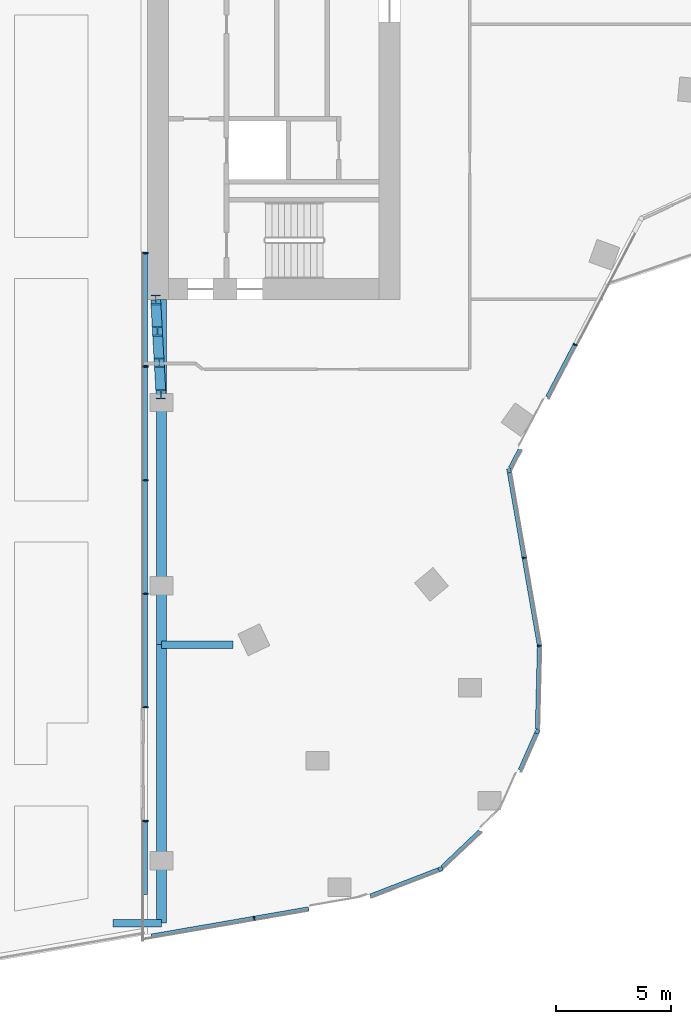
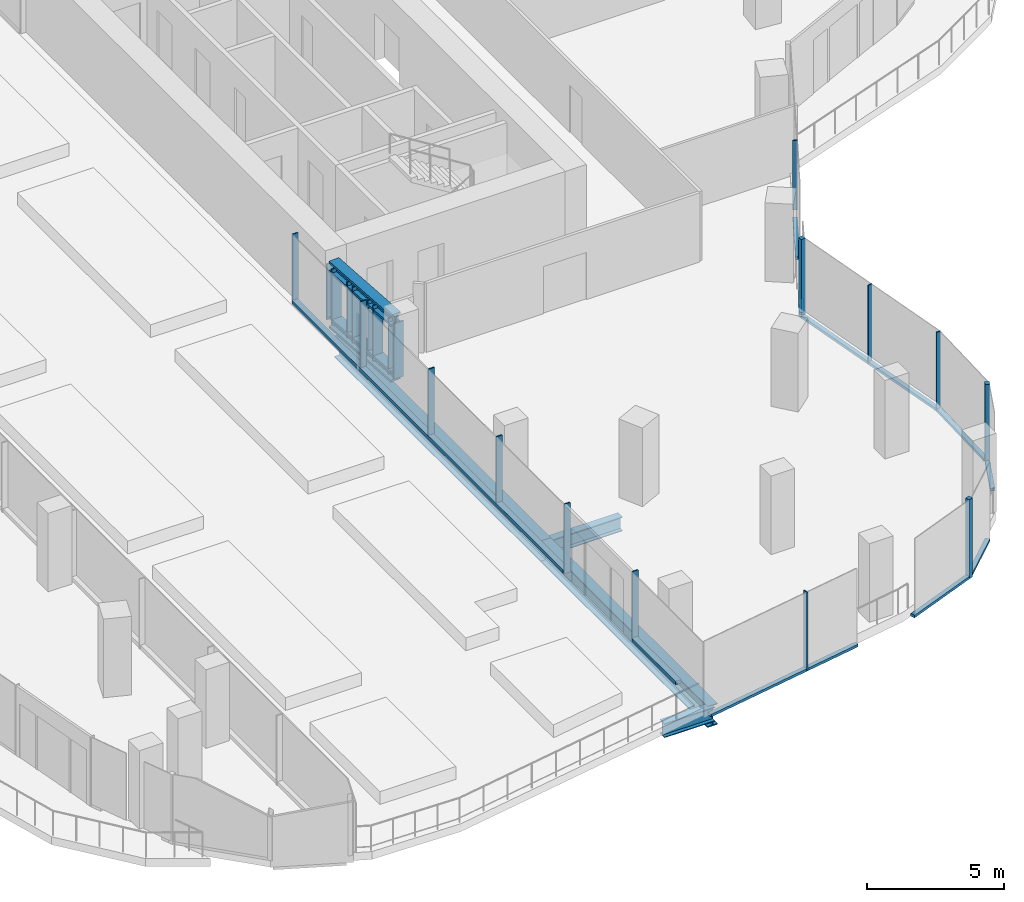
# One storey, part 3 of 26: 29 members, 4 beams, 8 elements without a shape of their own.
"""IFC4 building model written with IfcOpenShell, lengths in metres."""

from ifc_helpers import new_model, si_unit, direction, frame, origin, origin_2d, place, context, subcontext, project, spatial, rectangle, i_section, extrude, material, material_profile, profile_set, type_object, element, aggregate, save


model = new_model("IFC4")

# Units and contexts
model_context = context("Model", 3, precision=1e-05, world=origin(), true_north=direction((0.0, 1.0)))
body_context = subcontext(model_context, "Body", "Model", "MODEL_VIEW")
ifc_project = project(units=[si_unit("LENGTHUNIT", "METRE"), si_unit("AREAUNIT", "SQUARE_METRE"), si_unit("VOLUMEUNIT", "CUBIC_METRE"), si_unit("PLANEANGLEUNIT", "RADIAN"), si_unit("MASSUNIT", "GRAM", prefix="KILO")], contexts=[model_context])

# Site, building, storey
site_placement = place(None, origin())
site = spatial("IfcSite", under=ifc_project, at=site_placement, CompositionType="ELEMENT")
building_placement = place(site_placement, origin())
building = spatial("IfcBuilding", under=site, at=building_placement, Name="Orlundy Tower", CompositionType="ELEMENT")
storey_placement = place(building_placement, frame((0.0, 0.0, 253.5)))
storey = spatial("IfcBuildingStorey", under=building, at=storey_placement, Name="L67", CompositionType="ELEMENT", Elevation=253.5)

# Curtain wall, member
ifc_material_1 = material(Name="Aluminium bronze anodised", Category="aluminium")
curtain_wall_type = type_object("IfcCurtainWallType", Name="CW1 wall", PredefinedType="NOTDEFINED", material=ifc_material_1)
curtain_wall_1_placement = place(storey_placement, origin())
curtain_wall_1 = element("IfcCurtainWall", 1, at=curtain_wall_1_placement, inside=storey, type_object=curtain_wall_type, Name="CW1 run 112", PredefinedType="NOTDEFINED")
ifc_material_2 = material(Name="Aluminium bronze anodised", Category="aluminium")
ifc_material_profile_1 = material_profile(ifc_material_2, rectangle(XDim=0.179931640625, YDim=0.179931640625, at=origin_2d()), Name="CW1 corner post 180x180")
ifc_profile_set_1 = profile_set([ifc_material_profile_1], Name="Aluminium bronze anodised")
member_type_1 = type_object("IfcMemberType", Name="CW1 corner post 180x180", PredefinedType="MULLION", material=ifc_profile_set_1)
member_1_placement = place(storey_placement, frame((23.764892578125, -19.4736328125, -0.419921875), z_axis=(0.0, 0.0, 1.0), x_axis=(0.985318106887, 0.170728522047, 0.0)))
member_1 = element("IfcMember", 2, at=member_1_placement, type_object=member_type_1, Name="CW1 mullion 18", PredefinedType="MULLION", context=body_context, shape_type="SweptSolid", body=[
    extrude(rectangle(XDim=0.179931640625, YDim=0.179931640625, at=origin_2d()), origin(), (0.0, 0.0, 1.0), 3.52001953125),
])

curtain_wall_2_placement = place(storey_placement, origin())
curtain_wall_2 = element("IfcCurtainWall", 3, at=curtain_wall_2_placement, inside=storey, type_object=curtain_wall_type, Name="CW1 run 114", PredefinedType="NOTDEFINED")
member_2_placement = place(storey_placement, frame((24.99853515625, -30.85400390625, -0.419921875), z_axis=(0.0, 0.0, 1.0), x_axis=(0.914133830763, -0.405412554633, 0.0)))
member_2 = element("IfcMember", 4, at=member_2_placement, type_object=member_type_1, Name="CW1 mullion 21", PredefinedType="MULLION", context=body_context, shape_type="SweptSolid", body=[
    extrude(rectangle(XDim=0.179931640625, YDim=0.179931640625, at=origin_2d()), origin(), (0.0, 0.0, 1.0), 3.52001953125),
])

curtain_wall_3_placement = place(storey_placement, origin())
curtain_wall_3 = element("IfcCurtainWall", 5, at=curtain_wall_3_placement, inside=storey, type_object=curtain_wall_type, Name="CW1 run 116", PredefinedType="NOTDEFINED")
member_3_placement = place(storey_placement, frame((20.77001953125, -36.85546875, -0.419921875), z_axis=(0.0, 0.0, 1.0), x_axis=(0.359828461467, -0.933018476944, 0.0)))
member_3 = element("IfcMember", 6, at=member_3_placement, type_object=member_type_1, Name="CW1 mullion 23", PredefinedType="MULLION", context=body_context, shape_type="SweptSolid", body=[
    extrude(rectangle(XDim=0.179931640625, YDim=0.179931640625, at=origin_2d()), origin(), (0.0, 0.0, 1.0), 3.52001953125),
])

curtain_wall_4_placement = place(storey_placement, origin())
curtain_wall_4 = element("IfcCurtainWall", 7, at=curtain_wall_4_placement, inside=storey, type_object=curtain_wall_type, Name="CW1 run 111", PredefinedType="NOTDEFINED")
ifc_material_3 = material(Name="Aluminium bronze anodised", Category="aluminium")
ifc_material_profile_2 = material_profile(ifc_material_3, rectangle(XDim=0.179931640625, YDim=0.050048828125, at=origin_2d()), Name="CW1 mullion 50x180")
ifc_profile_set_2 = profile_set([ifc_material_profile_2], Name="Aluminium bronze anodised")
member_type_2 = type_object("IfcMemberType", Name="CW1 mullion 50x180", PredefinedType="MULLION", material=ifc_profile_set_2)
member_4_placement = place(storey_placement, frame((26.649658203125, -13.97119140625, 0.0), z_axis=(0.0, 0.0, 1.0), x_axis=(0.885660617608, -0.464333145939, 0.0)))
member_4 = element("IfcMember", 8, at=member_4_placement, type_object=member_type_2, Name="CW1 mullion 17", PredefinedType="MULLION", context=body_context, shape_type="SweptSolid", body=[
    extrude(rectangle(XDim=0.179931640625, YDim=0.050048828125, at=origin_2d()), origin(), (0.0, 0.0, 1.0), 3.10009765625),
])

# Member
member_5_placement = place(storey_placement, frame((24.424072265625, -23.278564453125, -0.419921875), z_axis=(0.0, 0.0, 1.0), x_axis=(0.985318106887, 0.170728522047, 0.0)))
member_5 = element("IfcMember", 9, at=member_5_placement, type_object=member_type_2, Name="CW1 mullion 19", PredefinedType="MULLION", context=body_context, shape_type="SweptSolid", body=[
    extrude(rectangle(XDim=0.179931640625, YDim=0.050048828125, at=origin_2d()), origin(), (0.0, 0.0, 1.0), 3.52001953125),
])

# Curtain wall, member
curtain_wall_5_placement = place(storey_placement, origin())
curtain_wall_5 = element("IfcCurtainWall", 10, at=curtain_wall_5_placement, inside=storey, type_object=curtain_wall_type, Name="CW1 run 113", PredefinedType="NOTDEFINED")
member_6_placement = place(storey_placement, frame((25.090087890625, -27.122314453125, -0.419921875), z_axis=(0.0, 0.0, 1.0), x_axis=(0.9972996306, 0.073440089904, 0.0)))
member_6 = element("IfcMember", 11, at=member_6_placement, type_object=member_type_2, Name="CW1 mullion 20", PredefinedType="MULLION", context=body_context, shape_type="SweptSolid", body=[
    extrude(rectangle(XDim=0.179931640625, YDim=0.050048828125, at=origin_2d()), origin(), (0.0, 0.0, 1.0), 3.52001953125),
])

curtain_wall_6_placement = place(storey_placement, origin())
curtain_wall_6 = element("IfcCurtainWall", 12, at=curtain_wall_6_placement, inside=storey, type_object=curtain_wall_type, Name="CW1 run 117", PredefinedType="NOTDEFINED")
member_7_placement = place(storey_placement, frame((12.646484375, -39.003173828125, -0.419921875), z_axis=(0.0, 0.0, 1.0), x_axis=(0.170744034483, -0.985315418883, 0.0)))
member_7 = element("IfcMember", 13, at=member_7_placement, type_object=member_type_2, Name="CW1 mullion 25", PredefinedType="MULLION", context=body_context, shape_type="SweptSolid", body=[
    extrude(rectangle(XDim=0.179931640625, YDim=0.050048828125, at=origin_2d()), origin(), (0.0, 0.0, 1.0), 3.52001953125),
])

# Member
ifc_material_4 = material(Name="Aluminium bronze anodised", Category="aluminium")
ifc_material_profile_3 = material_profile(ifc_material_4, rectangle(XDim=0.179931640625, YDim=0.1201171875, at=origin_2d()), Name="CW1 transom 180x120")
ifc_profile_set_3 = profile_set([ifc_material_profile_3], Name="Aluminium bronze anodised")
member_type_3 = type_object("IfcMemberType", Name="CW1 transom 180x120", PredefinedType="USERDEFINED", material=ifc_profile_set_3)
member_8_placement = place(storey_placement, frame((26.63818359375, -13.993408203125, -0.360107421875), z_axis=(-0.464377666405, -0.885637275042, 0.0), x_axis=(0.885637275042, -0.464377666405, 0.0)))
member_8 = element("IfcMember", 14, at=member_8_placement, type_object=member_type_3, Name="CW1 transom", ObjectType="TRANSOM", PredefinedType="USERDEFINED", context=body_context, shape_type="SweptSolid", body=[
    extrude(rectangle(XDim=0.179931640625, YDim=0.1201171875, at=origin_2d()), origin(), (0.0, 0.0, 1.0), 2.559326171875),
])

member_9_placement = place(storey_placement, frame((24.2412109375, -18.5654296875, -0.360107421875), z_axis=(-0.464366993519, -0.885642871213, 0.0), x_axis=(0.885642871213, -0.464366993519, 0.0)))
member_9 = element("IfcMember", 15, at=member_9_placement, type_object=member_type_3, Name="CW1 transom", ObjectType="TRANSOM", PredefinedType="USERDEFINED", context=body_context, shape_type="SweptSolid", body=[
    extrude(rectangle(XDim=0.179931640625, YDim=0.1201171875, at=origin_2d()), origin(), (0.0, 0.0, 1.0), 0.912109375),
])

aggregate(curtain_wall_4, [member_4, member_8, member_9])

member_10_placement = place(storey_placement, frame((23.7802734375, -19.5625, -0.360107421875), z_axis=(0.170732175042, -0.985317473917, 0.0), x_axis=(0.985317473917, 0.170732175042, 0.0)))
member_10 = element("IfcMember", 16, at=member_10_placement, type_object=member_type_3, Name="CW1 transom", ObjectType="TRANSOM", PredefinedType="USERDEFINED", context=body_context, shape_type="SweptSolid", body=[
    extrude(rectangle(XDim=0.179931640625, YDim=0.1201171875, at=origin_2d()), origin(), (0.0, 0.0, 1.0), 7.6474609375),
])

aggregate(curtain_wall_1, [member_1, member_5, member_10])

member_11_placement = place(storey_placement, frame((25.089599609375, -27.1474609375, -0.360107421875), z_axis=(-0.024546173371, -0.999698697295, 0.0), x_axis=(0.999698697295, -0.024546173371, 0.0)))
member_11 = element("IfcMember", 17, at=member_11_placement, type_object=member_type_3, Name="CW1 transom", ObjectType="TRANSOM", PredefinedType="USERDEFINED", context=body_context, shape_type="SweptSolid", body=[
    extrude(rectangle(XDim=0.179931640625, YDim=0.1201171875, at=origin_2d()), origin(), (0.0, 0.0, 1.0), 3.6103515625),
])

aggregate(curtain_wall_5, [member_6, member_11])

member_12_placement = place(storey_placement, frame((24.962158203125, -30.936279296875, -0.360107421875), z_axis=(-0.405456231293, -0.914114459193, 0.0), x_axis=(0.914114459193, -0.405456231293, 0.0)))
member_12 = element("IfcMember", 18, at=member_12_placement, type_object=member_type_3, Name="CW1 transom", ObjectType="TRANSOM", PredefinedType="USERDEFINED", context=body_context, shape_type="SweptSolid", body=[
    extrude(rectangle(XDim=0.179931640625, YDim=0.1201171875, at=origin_2d()), origin(), (0.0, 0.0, 1.0), 1.760009765625),
])

aggregate(curtain_wall_2, [member_2, member_12])

# Curtain wall, member
curtain_wall_7_placement = place(storey_placement, origin())
curtain_wall_7 = element("IfcCurtainWall", 19, at=curtain_wall_7_placement, inside=storey, type_object=curtain_wall_type, Name="CW1 run 115", PredefinedType="NOTDEFINED")
member_13_placement = place(storey_placement, frame((22.499755859375, -35.20947265625, -0.360107421875), z_axis=(-0.724424320726, -0.68935433816, 0.0), x_axis=(0.68935433816, -0.724424320726, 0.0)))
member_13 = element("IfcMember", 20, at=member_13_placement, type_object=member_type_3, Name="CW1 transom", ObjectType="TRANSOM", PredefinedType="USERDEFINED", context=body_context, shape_type="SweptSolid", body=[
    extrude(rectangle(XDim=0.179931640625, YDim=0.1201171875, at=origin_2d()), origin(), (0.0, 0.0, 1.0), 2.290283203125),
])
aggregate(curtain_wall_7, [member_13])

# Member
member_14_placement = place(storey_placement, frame((20.68603515625, -36.887939453125, -0.360107421875), z_axis=(-0.933021495013, -0.359820635657, 0.0), x_axis=(0.359820635657, -0.933021495013, 0.0)))
member_14 = element("IfcMember", 21, at=member_14_placement, type_object=member_type_3, Name="CW1 transom", ObjectType="TRANSOM", PredefinedType="USERDEFINED", context=body_context, shape_type="SweptSolid", body=[
    extrude(rectangle(XDim=0.179931640625, YDim=0.1201171875, at=origin_2d()), origin(), (0.0, 0.0, 1.0), 3.187744140625),
])

aggregate(curtain_wall_3, [member_3, member_14])

member_15_placement = place(storey_placement, frame((15.031982421875, -38.58984375, -0.360107421875), z_axis=(-0.985315086424, -0.170745952998, 0.0), x_axis=(0.170745952998, -0.985315086424, 0.0)))
member_15 = element("IfcMember", 22, at=member_15_placement, type_object=member_type_3, Name="CW1 transom", ObjectType="TRANSOM", PredefinedType="USERDEFINED", context=body_context, shape_type="SweptSolid", body=[
    extrude(rectangle(XDim=0.179931640625, YDim=0.1201171875, at=origin_2d()), origin(), (0.0, 0.0, 1.0), 6.976318359375),
])

aggregate(curtain_wall_6, [member_7, member_15])

# Curtain wall, members
curtain_wall_8_placement = place(storey_placement, origin())
curtain_wall_8 = element("IfcCurtainWall", 23, at=curtain_wall_8_placement, inside=storey, type_object=curtain_wall_type, Name="CW1 run 118", PredefinedType="NOTDEFINED")
ifc_material_5 = material(Name="Aluminium bronze anodised", Category="aluminium")
ifc_material_profile_4 = material_profile(ifc_material_5, rectangle(XDim=0.239990234375, YDim=0.050048828125, at=origin_2d()), Name="CW6 mullion 50x240")
ifc_profile_set_4 = profile_set([ifc_material_profile_4], Name="Aluminium bronze anodised")
member_type_4 = type_object("IfcMemberType", Name="CW6 mullion 50x240", PredefinedType="MULLION", material=ifc_profile_set_4)
member_16_placement = place(storey_placement, frame((7.909912109375, -34.76025390625, 0.0), z_axis=(0.0, 0.0, 1.0), x_axis=(-1.0, 0.0, 0.0)))
member_16 = element("IfcMember", 24, at=member_16_placement, type_object=member_type_4, Name="CW6 mullion 27", PredefinedType="MULLION", context=body_context, shape_type="SweptSolid", body=[
    extrude(rectangle(XDim=0.239990234375, YDim=0.050048828125, at=origin_2d()), origin(), (0.0, 0.0, 1.0), 3.10009765625),
])
member_17_placement = place(storey_placement, frame((7.909912109375, -29.80322265625, 0.0), z_axis=(0.0, 0.0, 1.0), x_axis=(-1.0, 0.0, 0.0)))
member_17 = element("IfcMember", 25, at=member_17_placement, type_object=member_type_4, Name="CW6 mullion 28", PredefinedType="MULLION", context=body_context, shape_type="SweptSolid", body=[
    extrude(rectangle(XDim=0.239990234375, YDim=0.050048828125, at=origin_2d()), origin(), (0.0, 0.0, 1.0), 3.10009765625),
])
member_18_placement = place(storey_placement, frame((7.909912109375, -24.846435546875, 0.0), z_axis=(0.0, 0.0, 1.0), x_axis=(-1.0, 0.0, 0.0)))
member_18 = element("IfcMember", 26, at=member_18_placement, type_object=member_type_4, Name="CW6 mullion 29", PredefinedType="MULLION", context=body_context, shape_type="SweptSolid", body=[
    extrude(rectangle(XDim=0.239990234375, YDim=0.050048828125, at=origin_2d()), origin(), (0.0, 0.0, 1.0), 3.10009765625),
])
member_19_placement = place(storey_placement, frame((7.909912109375, -19.8896484375, 0.0), z_axis=(0.0, 0.0, 1.0), x_axis=(-1.0, 0.0, 0.0)))
member_19 = element("IfcMember", 27, at=member_19_placement, type_object=member_type_4, Name="CW6 mullion 30", PredefinedType="MULLION", context=body_context, shape_type="SweptSolid", body=[
    extrude(rectangle(XDim=0.239990234375, YDim=0.050048828125, at=origin_2d()), origin(), (0.0, 0.0, 1.0), 3.10009765625),
])
member_20_placement = place(storey_placement, frame((7.909912109375, -14.9326171875, 0.0), z_axis=(0.0, 0.0, 1.0), x_axis=(-1.0, 0.0, 0.0)))
member_20 = element("IfcMember", 28, at=member_20_placement, type_object=member_type_4, Name="CW6 mullion 31", PredefinedType="MULLION", context=body_context, shape_type="SweptSolid", body=[
    extrude(rectangle(XDim=0.239990234375, YDim=0.050048828125, at=origin_2d()), origin(), (0.0, 0.0, 1.0), 3.10009765625),
])
member_21_placement = place(storey_placement, frame((7.909912109375, -9.975830078125, 0.0), z_axis=(0.0, 0.0, 1.0), x_axis=(-1.0, 0.0, 0.0)))
member_21 = element("IfcMember", 29, at=member_21_placement, type_object=member_type_4, Name="CW6 mullion 32", PredefinedType="MULLION", context=body_context, shape_type="SweptSolid", body=[
    extrude(rectangle(XDim=0.239990234375, YDim=0.050048828125, at=origin_2d()), origin(), (0.0, 0.0, 1.0), 3.10009765625),
])
ifc_material_6 = material(Name="Aluminium bronze anodised", Category="aluminium")
ifc_material_profile_5 = material_profile(ifc_material_6, rectangle(XDim=0.239990234375, YDim=0.159912109375, at=origin_2d()), Name="CW6 transom 240x160")
ifc_profile_set_5 = profile_set([ifc_material_profile_5], Name="Aluminium bronze anodised")
member_type_5 = type_object("IfcMemberType", Name="CW6 transom 240x160", PredefinedType="USERDEFINED", material=ifc_profile_set_5)
member_22_placement = place(storey_placement, frame((7.8798828125, -37.9697265625, 0.080078125), z_axis=(0.0, 1.0, 0.0), x_axis=(-1.0, 0.0, 0.0)))
member_22 = element("IfcMember", 30, at=member_22_placement, type_object=member_type_5, Name="CW6 transom", ObjectType="TRANSOM", PredefinedType="USERDEFINED", context=body_context, shape_type="SweptSolid", body=[
    extrude(rectangle(XDim=0.239990234375, YDim=0.159912109375, at=origin_2d()), origin(), (0.0, 0.0, 1.0), 3.1845703125),
])
member_23_placement = place(storey_placement, frame((7.8798828125, -29.7783203125, 0.080078125), z_axis=(0.0, 1.0, 0.0), x_axis=(-1.0, 0.0, 0.0)))
member_23 = element("IfcMember", 31, at=member_23_placement, type_object=member_type_5, Name="CW6 transom", ObjectType="TRANSOM", PredefinedType="USERDEFINED", context=body_context, shape_type="SweptSolid", body=[
    extrude(rectangle(XDim=0.239990234375, YDim=0.159912109375, at=origin_2d()), origin(), (0.0, 0.0, 1.0), 19.77734375),
])
aggregate(curtain_wall_8, [member_16, member_17, member_18, member_19, member_20, member_21, member_22, member_23])

# Members
ifc_material_7 = material(Name="Steel ASTM A992 Gr 50", Category="steel")
ifc_material_profile_6 = material_profile(ifc_material_7, i_section(OverallWidth=0.43212890625, OverallDepth=0.497802734375, WebThickness=0.0556640625, FlangeThickness=0.0888671875, at=origin_2d()), Name="W14X500")
ifc_profile_set_6 = profile_set([ifc_material_profile_6], Name="Steel ASTM A992 Gr 50")
member_type_6 = type_object("IfcMemberType", Name="PORTAL EDGE TRUSS chord W14X500", PredefinedType="CHORD", material=ifc_profile_set_6)
for number, where, z_axis, x_axis, name in (
    (32, (8.35009765625, -12.02001953125, 0.284912109375), (0.05566660133, -0.998449412588, 0.0), (0.998449412588, 0.05566660133, 0.0), "Portal edge truss bottom chord PE-ES"),
    (33, (8.35009765625, -12.02001953125, 2.765380859375), (0.05566660133, -0.998449412588, 0.0), (0.998449412588, 0.05566660133, 0.0), "Portal edge truss top chord PE-ES"),
):
    element("IfcMember", number, at=place(storey_placement, frame(where, z_axis=z_axis, x_axis=x_axis)), inside=storey, type_object=member_type_6, Name=name, PredefinedType="CHORD", context=body_context, shape_type="SweptSolid", body=[
        extrude(i_section(OverallWidth=0.43212890625, OverallDepth=0.497802734375, WebThickness=0.0556640625, FlangeThickness=0.0888671875, at=origin_2d()), origin(), (0.0, 0.0, 1.0), 4.126953125),
    ])
ifc_material_8 = material(Name="Steel ASTM A992 Gr 50", Category="steel")
ifc_material_profile_7 = material_profile(ifc_material_8, i_section(OverallWidth=0.412109375, OverallDepth=0.434814453125, WebThickness=0.035888671875, FlangeThickness=0.057373046875, at=origin_2d()), Name="W14X311")
ifc_profile_set_7 = profile_set([ifc_material_profile_7], Name="Steel ASTM A992 Gr 50")
member_type_7 = type_object("IfcMemberType", Name="PORTAL EDGE TRUSS post W14X311", PredefinedType="POST", material=ifc_profile_set_7)
for number, where, z_axis, x_axis, name in (
    (34, (8.35009765625, -12.02001953125, 0.284912109375), (0.0, 0.0, 1.0), (1.0, 0.0, 0.0), "Portal edge truss post PE-ES-0"),
    (35, (8.426513671875, -13.3935546875, 0.284912109375), (0.0, 0.0, 1.0), (1.0, 0.0, 0.0), "Portal edge truss post PE-ES-1"),
    (36, (8.50341796875, -14.76708984375, 0.284912109375), (0.0, 0.0, 1.0), (1.0, 0.0, 0.0), "Portal edge truss post PE-ES-2"),
    (37, (8.579833984375, -16.140625, 0.284912109375), (0.0, 0.0, 1.0), (1.0, 0.0, 0.0), "Portal edge truss post PE-ES-3"),
):
    element("IfcMember", number, at=place(storey_placement, frame(where, z_axis=z_axis, x_axis=x_axis)), inside=storey, type_object=member_type_7, Name=name, PredefinedType="POST", context=body_context, shape_type="SweptSolid", body=[
        extrude(i_section(OverallWidth=0.412109375, OverallDepth=0.434814453125, WebThickness=0.035888671875, FlangeThickness=0.057373046875, at=origin_2d()), origin(), (0.0, 0.0, 1.0), 2.48046875),
    ])

# Beams
ifc_material_9 = material(Name="Steel ASTM A992 Gr 50", Category="steel")
ifc_material_profile_8 = material_profile(ifc_material_9, i_section(OverallWidth=0.3291015625, OverallDepth=0.635009765625, WebThickness=0.017822265625, FlangeThickness=0.031005859375, at=origin_2d()), Name="W24X162")
ifc_profile_set_8 = profile_set([ifc_material_profile_8], Name="Steel ASTM A992 Gr 50")
beam_type_1 = type_object("IfcBeamType", Name="TRANSFER GIRDER beam W24X162", PredefinedType="BEAM", material=ifc_profile_set_8)
beam_1_placement = place(storey_placement, frame((8.60009765625, -39.21875, -0.737548828125), z_axis=(-1.0, 0.0, 0.0), x_axis=(0.0, -1.0, 0.0)))
element("IfcBeam", 38, at=beam_1_placement, inside=storey, type_object=beam_type_1, Name="Transfer stub beam E C-B3-5", PredefinedType="BEAM", context=body_context, shape_type="SweptSolid", body=[
    extrude(i_section(OverallWidth=0.3291015625, OverallDepth=0.635009765625, WebThickness=0.017822265625, FlangeThickness=0.031005859375, at=origin_2d()), origin(), (0.0, 0.0, 1.0), 2.118896484375),
])
beam_2_placement = place(storey_placement, frame((8.60009765625, -27.060791015625, -0.737548828125), z_axis=(1.0, 0.0, 0.0), x_axis=(0.0, 1.0, 0.0)))
element("IfcBeam", 39, at=beam_2_placement, inside=storey, type_object=beam_type_1, Name="Transfer stub beam E C-H11", PredefinedType="BEAM", context=body_context, shape_type="SweptSolid", body=[
    extrude(i_section(OverallWidth=0.3291015625, OverallDepth=0.635009765625, WebThickness=0.017822265625, FlangeThickness=0.031005859375, at=origin_2d()), origin(), (0.0, 0.0, 1.0), 3.131103515625),
])
ifc_material_10 = material(Name="Steel ASTM A992 Gr 50", Category="steel")
ifc_material_profile_9 = material_profile(ifc_material_10, i_section(OverallWidth=0.423095703125, OverallDepth=0.947265625, WebThickness=0.02392578125, FlangeThickness=0.042724609375, at=origin_2d()), Name="W36X302")
ifc_profile_set_9 = profile_set([ifc_material_profile_9], Name="Steel ASTM A992 Gr 50")
beam_type_2 = type_object("IfcBeamType", Name="TRANSFER GIRDER beam W36X302", PredefinedType="BEAM", material=ifc_profile_set_9)
beam_3_placement = place(storey_placement, frame((8.60009765625, -39.218994140625, -0.8935546875), z_axis=(0.0, 1.0, 0.0), x_axis=(-1.0, 0.0, 0.0)))
element("IfcBeam", 40, at=beam_3_placement, inside=storey, type_object=beam_type_2, Name="Transfer girder slot edge E1", PredefinedType="BEAM", context=body_context, shape_type="SweptSolid", body=[
    extrude(i_section(OverallWidth=0.423095703125, OverallDepth=0.947265625, WebThickness=0.02392578125, FlangeThickness=0.042724609375, at=origin_2d()), origin(), (0.0, 0.0, 1.0), 12.157958984375),
])
beam_4_placement = place(storey_placement, frame((8.60009765625, -27.06103515625, -0.8935546875), z_axis=(0.0, 1.0, 0.0), x_axis=(-1.0, 0.0, 0.0)))
element("IfcBeam", 41, at=beam_4_placement, inside=storey, type_object=beam_type_2, Name="Transfer girder slot edge E2", PredefinedType="BEAM", context=body_context, shape_type="SweptSolid", body=[
    extrude(i_section(OverallWidth=0.423095703125, OverallDepth=0.947265625, WebThickness=0.02392578125, FlangeThickness=0.042724609375, at=origin_2d()), origin(), (0.0, 0.0, 1.0), 15.06103515625),
])

save(model, "model.ifc")
